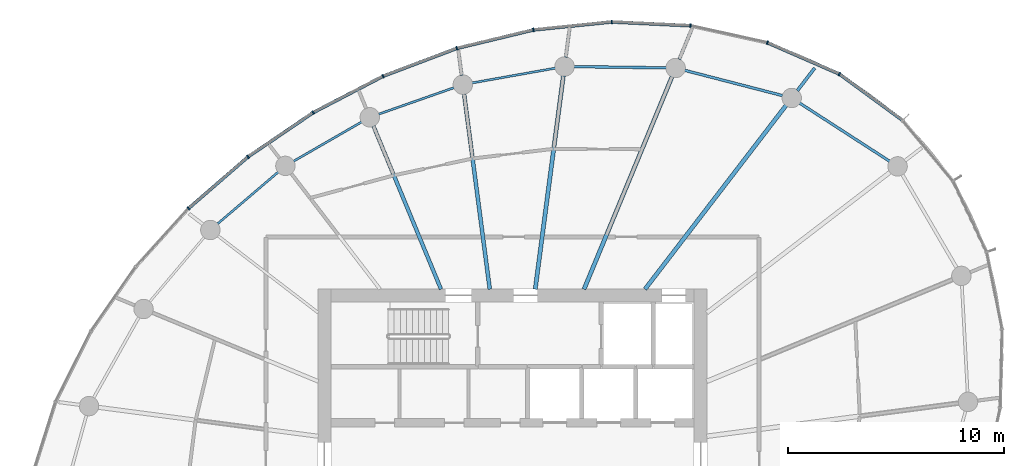
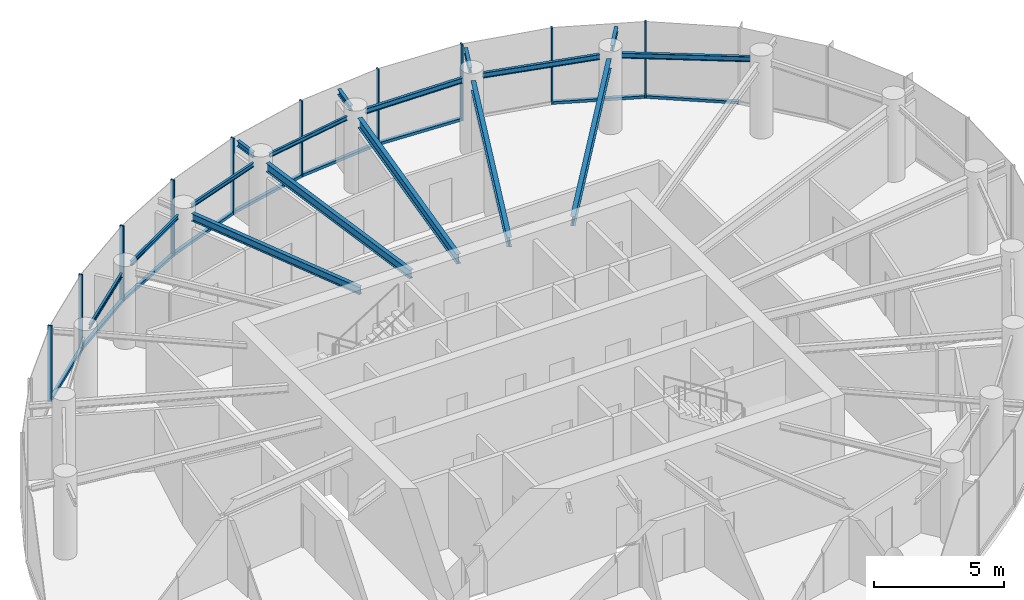
# One storey, part 6 of 15: 19 members, 16 beams, 2 elements without a shape of their own.
"""IFC4 building model written with IfcOpenShell, lengths in metres."""

from ifc_helpers import new_model, si_unit, direction, frame, origin, origin_2d, place, context, subcontext, project, spatial, rectangle, i_section, extrude, source, transform, mapped, material, layer, layer_set, material_profile, profile_set, type_object, element, aggregate, save


model = new_model("IFC4")

# Units and contexts
model_context = context("Model", 3, precision=1e-05, world=origin(), true_north=direction((0.0, 1.0)))
body_context = subcontext(model_context, "Body", "Model", "MODEL_VIEW")
ifc_project = project(units=[si_unit("LENGTHUNIT", "METRE"), si_unit("AREAUNIT", "SQUARE_METRE"), si_unit("VOLUMEUNIT", "CUBIC_METRE"), si_unit("PLANEANGLEUNIT", "RADIAN"), si_unit("MASSUNIT", "GRAM", prefix="KILO")], contexts=[model_context])

# Site, building, storey
site_placement = place(None, origin())
site = spatial("IfcSite", under=ifc_project, at=site_placement, CompositionType="ELEMENT")
building_placement = place(site_placement, origin())
building = spatial("IfcBuilding", under=site, at=building_placement, Name="Spindrift Exchange Tower", CompositionType="ELEMENT")
storey_placement = place(building_placement, frame((0.0, 0.0, 195.5)))
storey = spatial("IfcBuildingStorey", under=building, at=storey_placement, Name="L47", CompositionType="ELEMENT", Elevation=195.5)

# Beams
ifc_material_1 = material(Name="Steel Grade 300", Category="steel")
ifc_material_profile_1 = material_profile(ifc_material_1, i_section(OverallWidth=0.14599609375, OverallDepth=0.251953125, WebThickness=0.006103515625, FlangeThickness=0.008544921875, FilletRadius=0.011962890625, at=origin_2d()), Name="250UB31.4")
ifc_profile_set_1 = profile_set([ifc_material_profile_1], Name="Steel Grade 300")
beam_type_1 = type_object("IfcBeamType", Name="Cantilever Beam 250UB31.4 Steel Grade 300", PredefinedType="BEAM", material=ifc_profile_set_1)
shared_shape_1 = source(origin(), body_context, "Body", "SweptSolid", [
    extrude(i_section(OverallWidth=0.14599609375, OverallDepth=0.251953125, WebThickness=0.006103515625, FlangeThickness=0.008544921875, FilletRadius=0.011962890625, at=origin_2d()), origin(), (0.0, 0.0, 1.0), 1.224853515625),
])
beam_1_placement = place(storey_placement, frame((54.46240234375, 66.70458984375, 3.4541015625), z_axis=(0.130557634208, 0.99144072145, 0.0), x_axis=(-0.99144072145, 0.130557634208, 0.0)))
element("IfcBeam", 1, at=beam_1_placement, inside=storey, type_object=beam_type_1, Name="L47 cantilever beam R06T", PredefinedType="BEAM", context=body_context, shape_type="MappedRepresentation", body=[
    mapped(shared_shape_1, transform((0.0, 0.0, 0.0), scale=1.0)),
])
ifc_material_profile_2 = material_profile(ifc_material_1, i_section(OverallWidth=0.18994140625, OverallDepth=0.4541015625, WebThickness=0.008544921875, FlangeThickness=0.0126953125, FilletRadius=0.013916015625, at=origin_2d()), Name="460UB67.1")
ifc_profile_set_2 = profile_set([ifc_material_profile_2], Name="Steel Grade 300")
beam_type_2 = type_object("IfcBeamType", Name="Floor Beam 460UB67.1 Steel Grade 300", PredefinedType="BEAM", material=ifc_profile_set_2)
shared_shape_2 = source(origin(), body_context, "Body", "SweptSolid", [
    extrude(i_section(OverallWidth=0.18994140625, OverallDepth=0.4541015625, WebThickness=0.008544921875, FlangeThickness=0.0126953125, FilletRadius=0.013916015625, at=origin_2d()), origin(), (0.0, 0.0, 1.0), 10.711181640625),
])
beam_2_placement = place(storey_placement, frame((58.12646484375, 55.984130859375, 3.35302734375), z_axis=(0.608756401092, 0.793357198322, 0.0), x_axis=(-0.793357198322, 0.608756401092, 0.0)))
element("IfcBeam", 2, at=beam_2_placement, inside=storey, type_object=beam_type_2, Name="L47 radial beam R04A", PredefinedType="BEAM", context=body_context, shape_type="MappedRepresentation", body=[
    mapped(shared_shape_2, transform((0.0, 0.0, 0.0), scale=1.0)),
])
shared_shape_3 = source(origin(), body_context, "Body", "SweptSolid", [
    extrude(i_section(OverallWidth=0.18994140625, OverallDepth=0.4541015625, WebThickness=0.008544921875, FlangeThickness=0.0126953125, FilletRadius=0.013916015625, at=origin_2d()), origin(), (0.0, 0.0, 1.0), 10.64111328125),
])
beam_3_placement = place(storey_placement, frame((55.30615234375, 55.9814453125, 3.35302734375), z_axis=(0.382672627597, 0.923884007919, 0.0), x_axis=(-0.923884007919, 0.382672627597, 0.0)))
element("IfcBeam", 3, at=beam_3_placement, inside=storey, type_object=beam_type_2, Name="L47 radial beam R05A", PredefinedType="BEAM", context=body_context, shape_type="MappedRepresentation", body=[
    mapped(shared_shape_3, transform((0.0, 0.0, 0.0), scale=1.0)),
])
shared_shape_4 = source(origin(), body_context, "Body", "SweptSolid", [
    extrude(i_section(OverallWidth=0.18994140625, OverallDepth=0.4541015625, WebThickness=0.008544921875, FlangeThickness=0.0126953125, FilletRadius=0.013916015625, at=origin_2d()), origin(), (0.0, 0.0, 1.0), 9.95703125),
])
beam_4_placement = place(storey_placement, frame((53.050537109375, 55.980224609375, 3.35302734375), z_axis=(0.130541406635, 0.991442858239, 0.0), x_axis=(-0.991442858239, 0.130541406635, 0.0)))
element("IfcBeam", 4, at=beam_4_placement, inside=storey, type_object=beam_type_2, Name="L47 radial beam R06A", PredefinedType="BEAM", context=body_context, shape_type="MappedRepresentation", body=[
    mapped(shared_shape_4, transform((0.0, 0.0, 0.0), scale=1.0)),
])
ifc_material_profile_3 = material_profile(ifc_material_1, i_section(OverallWidth=0.177978515625, OverallDepth=0.403076171875, WebThickness=0.007568359375, FlangeThickness=0.010986328125, FilletRadius=0.013916015625, at=origin_2d()), Name="410UB53.7")
ifc_profile_set_3 = profile_set([ifc_material_profile_3], Name="Steel Grade 300")
beam_type_3 = type_object("IfcBeamType", Name="Floor Beam 410UB53.7 Steel Grade 300", PredefinedType="BEAM", material=ifc_profile_set_3)
shared_shape_5 = source(origin(), body_context, "Body", "SweptSolid", [
    extrude(i_section(OverallWidth=0.177978515625, OverallDepth=0.403076171875, WebThickness=0.007568359375, FlangeThickness=0.010986328125, FilletRadius=0.013916015625, at=origin_2d()), origin(), (0.0, 0.0, 1.0), 9.11376953125),
])
beam_5_placement = place(storey_placement, frame((50.949462890625, 55.980224609375, 3.37841796875), z_axis=(-0.130536972606, 0.991443442049, 0.0), x_axis=(-0.991443442049, -0.130536972606, 0.0)))
element("IfcBeam", 5, at=beam_5_placement, inside=storey, type_object=beam_type_3, Name="L47 radial beam R07A", PredefinedType="BEAM", context=body_context, shape_type="MappedRepresentation", body=[
    mapped(shared_shape_5, transform((0.0, 0.0, 0.0), scale=1.0)),
])
ifc_material_profile_4 = material_profile(ifc_material_1, i_section(OverallWidth=0.1708984375, OverallDepth=0.35205078125, WebThickness=0.0068359375, FlangeThickness=0.009765625, FilletRadius=0.013916015625, at=origin_2d()), Name="360UB44.7")
ifc_profile_set_4 = profile_set([ifc_material_profile_4], Name="Steel Grade 300")
beam_type_4 = type_object("IfcBeamType", Name="Floor Beam 360UB44.7 Steel Grade 300", PredefinedType="BEAM", material=ifc_profile_set_4)
shared_shape_6 = source(origin(), body_context, "Body", "SweptSolid", [
    extrude(i_section(OverallWidth=0.1708984375, OverallDepth=0.35205078125, WebThickness=0.0068359375, FlangeThickness=0.009765625, FilletRadius=0.013916015625, at=origin_2d()), origin(), (0.0, 0.0, 1.0), 8.1748046875),
])
beam_6_placement = place(storey_placement, frame((48.69384765625, 55.9814453125, 3.404052734375), z_axis=(-0.382655117626, 0.923891260352, 0.0), x_axis=(-0.923891260352, -0.382655117626, 0.0)))
element("IfcBeam", 6, at=beam_6_placement, inside=storey, type_object=beam_type_4, Name="L47 radial beam R08A", PredefinedType="BEAM", context=body_context, shape_type="MappedRepresentation", body=[
    mapped(shared_shape_6, transform((0.0, 0.0, 0.0), scale=1.0)),
])
ifc_material_profile_5 = material_profile(ifc_material_1, i_section(OverallWidth=0.1240234375, OverallDepth=0.248046875, WebThickness=0.0048828125, FlangeThickness=0.008056640625, FilletRadius=0.011962890625, at=origin_2d()), Name="250UB25.7")
ifc_profile_set_5 = profile_set([ifc_material_profile_5], Name="Steel Grade 300")
beam_type_5 = type_object("IfcBeamType", Name="Edge Beam 250UB25.7 Steel Grade 300", PredefinedType="SPANDREL", material=ifc_profile_set_5)
shared_shape_7 = source(origin(), body_context, "Body", "SweptSolid", [
    extrude(i_section(OverallWidth=0.1240234375, OverallDepth=0.248046875, WebThickness=0.0048828125, FlangeThickness=0.008056640625, FilletRadius=0.011962890625, at=origin_2d()), origin(), (0.0, 0.0, 1.0), 4.966552734375),
])
beam_7_placement = place(storey_placement, frame((69.44091796875, 61.893310546875, 3.4560546875), z_axis=(-0.839802198579, 0.54289250065, 0.0), x_axis=(-0.54289250065, -0.839802198579, 0.0)))
element("IfcBeam", 7, at=beam_7_placement, inside=storey, type_object=beam_type_5, Name="L47 edge beam E03", PredefinedType="SPANDREL", context=body_context, shape_type="MappedRepresentation", body=[
    mapped(shared_shape_7, transform((0.0, 0.0, 0.0), scale=1.0)),
])
shared_shape_8 = source(origin(), body_context, "Body", "SweptSolid", [
    extrude(i_section(OverallWidth=0.1240234375, OverallDepth=0.248046875, WebThickness=0.0048828125, FlangeThickness=0.008056640625, FilletRadius=0.011962890625, at=origin_2d()), origin(), (0.0, 0.0, 1.0), 4.682373046875),
])
beam_8_placement = place(storey_placement, frame((64.492431640625, 64.9306640625, 3.4560546875), z_axis=(-0.968201586176, 0.250171318352, 0.0), x_axis=(-0.250171318352, -0.968201586176, 0.0)))
element("IfcBeam", 8, at=beam_8_placement, inside=storey, type_object=beam_type_5, Name="L47 edge beam E04", PredefinedType="SPANDREL", context=body_context, shape_type="MappedRepresentation", body=[
    mapped(shared_shape_8, transform((0.0, 0.0, 0.0), scale=1.0)),
])
shared_shape_9 = source(origin(), body_context, "Body", "SweptSolid", [
    extrude(i_section(OverallWidth=0.1240234375, OverallDepth=0.248046875, WebThickness=0.0048828125, FlangeThickness=0.008056640625, FilletRadius=0.011962890625, at=origin_2d()), origin(), (0.0, 0.0, 1.0), 4.27685546875),
])
beam_9_placement = place(storey_placement, frame((59.11279296875, 66.21533203125, 3.4560546875), z_axis=(-0.999910013527, 0.013415097807, 0.0), x_axis=(-0.013415097807, -0.999910013527, 0.0)))
element("IfcBeam", 9, at=beam_9_placement, inside=storey, type_object=beam_type_5, Name="L47 edge beam E05", PredefinedType="SPANDREL", context=body_context, shape_type="MappedRepresentation", body=[
    mapped(shared_shape_9, transform((0.0, 0.0, 0.0), scale=1.0)),
])
ifc_material_profile_6 = material_profile(ifc_material_1, i_section(OverallWidth=0.09912109375, OverallDepth=0.197998046875, WebThickness=0.00439453125, FlangeThickness=0.007080078125, FilletRadius=0.010986328125, at=origin_2d()), Name="200UB18.2")
ifc_profile_set_6 = profile_set([ifc_material_profile_6], Name="Steel Grade 300")
beam_type_6 = type_object("IfcBeamType", Name="Edge Beam 200UB18.2 Steel Grade 300", PredefinedType="SPANDREL", material=ifc_profile_set_6)
shared_shape_10 = source(origin(), body_context, "Body", "SweptSolid", [
    extrude(i_section(OverallWidth=0.09912109375, OverallDepth=0.197998046875, WebThickness=0.00439453125, FlangeThickness=0.007080078125, FilletRadius=0.010986328125, at=origin_2d()), origin(), (0.0, 0.0, 1.0), 3.916259765625),
])
beam_10_placement = place(storey_placement, frame((53.98291015625, 66.203125, 3.48095703125), z_axis=(-0.984558687682, -0.175054821441, 0.0), x_axis=(0.175054821441, -0.984558687682, 0.0)))
element("IfcBeam", 10, at=beam_10_placement, inside=storey, type_object=beam_type_6, Name="L47 edge beam E06", PredefinedType="SPANDREL", context=body_context, shape_type="MappedRepresentation", body=[
    mapped(shared_shape_10, transform((0.0, 0.0, 0.0), scale=1.0)),
])
shared_shape_11 = source(origin(), body_context, "Body", "SweptSolid", [
    extrude(i_section(OverallWidth=0.09912109375, OverallDepth=0.197998046875, WebThickness=0.00439453125, FlangeThickness=0.007080078125, FilletRadius=0.010986328125, at=origin_2d()), origin(), (0.0, 0.0, 1.0), 3.700439453125),
])
beam_11_placement = place(storey_placement, frame((49.298095703125, 65.300048828125, 3.48095703125), z_axis=(-0.943515334916, -0.331328858957, 0.0), x_axis=(0.331328858957, -0.943515334916, 0.0)))
element("IfcBeam", 11, at=beam_11_placement, inside=storey, type_object=beam_type_6, Name="L47 edge beam E07", PredefinedType="SPANDREL", context=body_context, shape_type="MappedRepresentation", body=[
    mapped(shared_shape_11, transform((0.0, 0.0, 0.0), scale=1.0)),
])
shared_shape_12 = source(origin(), body_context, "Body", "SweptSolid", [
    extrude(i_section(OverallWidth=0.09912109375, OverallDepth=0.197998046875, WebThickness=0.00439453125, FlangeThickness=0.007080078125, FilletRadius=0.010986328125, at=origin_2d()), origin(), (0.0, 0.0, 1.0), 3.64208984375),
])
beam_12_placement = place(storey_placement, frame((45.028564453125, 63.716552734375, 3.48095703125), z_axis=(-0.866364093123, -0.499412913476, 0.0), x_axis=(0.499412913476, -0.866364093123, 0.0)))
element("IfcBeam", 12, at=beam_12_placement, inside=storey, type_object=beam_type_6, Name="L47 edge beam E08", PredefinedType="SPANDREL", context=body_context, shape_type="MappedRepresentation", body=[
    mapped(shared_shape_12, transform((0.0, 0.0, 0.0), scale=1.0)),
])
shared_shape_13 = source(origin(), body_context, "Body", "SweptSolid", [
    extrude(i_section(OverallWidth=0.09912109375, OverallDepth=0.197998046875, WebThickness=0.00439453125, FlangeThickness=0.007080078125, FilletRadius=0.010986328125, at=origin_2d()), origin(), (0.0, 0.0, 1.0), 3.703857421875),
])
beam_13_placement = place(storey_placement, frame((41.173583984375, 61.40380859375, 3.48095703125), z_axis=(-0.7606692863, -0.64913961278, 0.0), x_axis=(0.64913961278, -0.7606692863, 0.0)))
element("IfcBeam", 13, at=beam_13_placement, inside=storey, type_object=beam_type_6, Name="L47 edge beam E09", PredefinedType="SPANDREL", context=body_context, shape_type="MappedRepresentation", body=[
    mapped(shared_shape_13, transform((0.0, 0.0, 0.0), scale=1.0)),
])
shared_shape_14 = source(origin(), body_context, "Body", "SweptSolid", [
    extrude(i_section(OverallWidth=0.14599609375, OverallDepth=0.251953125, WebThickness=0.006103515625, FlangeThickness=0.008544921875, FilletRadius=0.011962890625, at=origin_2d()), origin(), (0.0, 0.0, 1.0), 1.3134765625),
])
beam_14_placement = place(storey_placement, frame((65.170654296875, 65.164306640625, 3.4541015625), z_axis=(0.608767093418, 0.793348993805, 0.0), x_axis=(-0.793348993805, 0.608767093418, 0.0)))
element("IfcBeam", 14, at=beam_14_placement, inside=storey, type_object=beam_type_1, Name="L47 cantilever beam R04T", PredefinedType="BEAM", context=body_context, shape_type="MappedRepresentation", body=[
    mapped(shared_shape_14, transform((0.0, 0.0, 0.0), scale=1.0)),
])
shared_shape_15 = source(origin(), body_context, "Body", "SweptSolid", [
    extrude(i_section(OverallWidth=0.14599609375, OverallDepth=0.251953125, WebThickness=0.006103515625, FlangeThickness=0.008544921875, FilletRadius=0.011962890625, at=origin_2d()), origin(), (0.0, 0.0, 1.0), 1.36767578125),
])
beam_15_placement = place(storey_placement, frame((59.707275390625, 66.60693359375, 3.4541015625), z_axis=(0.382751211346, 0.923851454625, 0.0), x_axis=(-0.923851454625, 0.382751211346, 0.0)))
element("IfcBeam", 15, at=beam_15_placement, inside=storey, type_object=beam_type_1, Name="L47 cantilever beam R05T", PredefinedType="BEAM", context=body_context, shape_type="MappedRepresentation", body=[
    mapped(shared_shape_15, transform((0.0, 0.0, 0.0), scale=1.0)),
])
shared_shape_16 = source(origin(), body_context, "Body", "SweptSolid", [
    extrude(i_section(OverallWidth=0.14599609375, OverallDepth=0.251953125, WebThickness=0.006103515625, FlangeThickness=0.008544921875, FilletRadius=0.011962890625, at=origin_2d()), origin(), (0.0, 0.0, 1.0), 1.007568359375),
])
beam_16_placement = place(storey_placement, frame((49.6474609375, 65.868896484375, 3.4541015625), z_axis=(-0.130354229524, 0.991467485521, 0.0), x_axis=(-0.991467485521, -0.130354229524, 0.0)))
element("IfcBeam", 16, at=beam_16_placement, inside=storey, type_object=beam_type_1, Name="L47 cantilever beam R07T", PredefinedType="BEAM", context=body_context, shape_type="MappedRepresentation", body=[
    mapped(shared_shape_16, transform((0.0, 0.0, 0.0), scale=1.0)),
])

# Curtain wall, members
ifc_material_2 = material(Name="Fritted laminated glass with bronze frame", Category="glass")
ifc_layer = layer(ifc_material_2, 0.169921875)
ifc_layer_set = layer_set([ifc_layer], Name="ZONE 4 BRONZE FRITTED WALL")
curtain_wall_type = type_object("IfcCurtainWallType", Name="ZONE 4 BRONZE FRITTED WALL", PredefinedType="NOTDEFINED", material=ifc_layer_set)
curtain_wall_1_placement = place(storey_placement, origin())
curtain_wall_1 = element("IfcCurtainWall", 17, at=curtain_wall_1_placement, inside=storey, type_object=curtain_wall_type, Name="L47 Zone 4 Bronze Fritted Wall run 2", PredefinedType="NOTDEFINED")
ifc_material_3 = material(Name="Bronze anodised aluminium", Category="aluminium")
ifc_material_profile_7 = material_profile(ifc_material_3, rectangle(XDim=0.14990234375, YDim=0.125, at=origin_2d()), Name="ZONE 4 BRONZE FRITTED WALL TRANSOM 150X125")
ifc_profile_set_7 = profile_set([ifc_material_profile_7], Name="Bronze anodised aluminium")
member_type_1 = type_object("IfcMemberType", Name="ZONE 4 BRONZE FRITTED WALL TRANSOM 150X125", PredefinedType="USERDEFINED", material=ifc_profile_set_7)
shared_shape_17 = source(origin(), body_context, "Body", "SweptSolid", [
    extrude(rectangle(XDim=0.14990234375, YDim=0.125, at=origin_2d()), origin(), (0.0, 0.0, 1.0), 3.57763671875),
])
member_1_placement = place(storey_placement, frame((49.393798828125, 67.109130859375, 0.0625), z_axis=(-0.935440004417, -0.353485499189, 0.0), x_axis=(0.353485499189, -0.935440004417, 0.0)))
member_1 = element("IfcMember", 18, at=member_1_placement, type_object=member_type_1, Name="L47 transom CW-4.8", ObjectType="TRANSOM", PredefinedType="USERDEFINED", context=body_context, shape_type="MappedRepresentation", body=[
    mapped(shared_shape_17, transform((0.0, 0.0, 0.0), scale=1.0)),
])
member_2_placement = place(storey_placement, frame((39.74755859375, 62.082763671875, 0.0625), z_axis=(-0.75589393886, -0.654694091309, 0.0), x_axis=(0.654694091309, -0.75589393886, 0.0)))
member_2 = element("IfcMember", 19, at=member_2_placement, type_object=member_type_1, Name="L47 transom CW-4.11", ObjectType="TRANSOM", PredefinedType="USERDEFINED", context=body_context, shape_type="MappedRepresentation", body=[
    mapped(shared_shape_17, transform((0.0, 0.0, 0.0), scale=1.0)),
])
shared_shape_18 = source(origin(), body_context, "Body", "SweptSolid", [
    extrude(rectangle(XDim=0.14990234375, YDim=0.125, at=origin_2d()), origin(), (0.0, 0.0, 1.0), 3.577880859375),
])
member_3_placement = place(storey_placement, frame((45.988037109375, 65.818115234375, 0.0625), z_axis=(-0.88693621512, -0.461891924923, 0.0), x_axis=(0.461891924923, -0.88693621512, 0.0)))
member_3 = element("IfcMember", 20, at=member_3_placement, type_object=member_type_1, Name="L47 transom CW-4.9", ObjectType="TRANSOM", PredefinedType="USERDEFINED", context=body_context, shape_type="MappedRepresentation", body=[
    mapped(shared_shape_18, transform((0.0, 0.0, 0.0), scale=1.0)),
])
member_4_placement = place(storey_placement, frame((42.759033203125, 64.13232421875, 0.0625), z_axis=(-0.827285502218, -0.561781717235, 0.0), x_axis=(0.561781717235, -0.827285502218, 0.0)))
member_4 = element("IfcMember", 21, at=member_4_placement, type_object=member_type_1, Name="L47 transom CW-4.10", ObjectType="TRANSOM", PredefinedType="USERDEFINED", context=body_context, shape_type="MappedRepresentation", body=[
    mapped(shared_shape_18, transform((0.0, 0.0, 0.0), scale=1.0)),
])

# Curtain wall, member
curtain_wall_2_placement = place(storey_placement, origin())
curtain_wall_2 = element("IfcCurtainWall", 22, at=curtain_wall_2_placement, inside=storey, type_object=curtain_wall_type, Name="L47 Zone 4 Bronze Fritted Wall run 1", PredefinedType="NOTDEFINED")
shared_shape_19 = source(origin(), body_context, "Body", "SweptSolid", [
    extrude(rectangle(XDim=0.14990234375, YDim=0.125, at=origin_2d()), origin(), (0.0, 0.0, 1.0), 3.57666015625),
])
member_5_placement = place(storey_placement, frame((56.55615234375, 68.33935546875, 0.0625), z_axis=(-0.99484960562, -0.10136203529, 0.0), x_axis=(0.10136203529, -0.99484960562, 0.0)))
member_5 = element("IfcMember", 23, at=member_5_placement, type_object=member_type_1, Name="L47 transom CW-4.6", ObjectType="TRANSOM", PredefinedType="USERDEFINED", context=body_context, shape_type="MappedRepresentation", body=[
    mapped(shared_shape_19, transform((0.0, 0.0, 0.0), scale=1.0)),
])

# Member
shared_shape_20 = source(origin(), body_context, "Body", "SweptSolid", [
    extrude(rectangle(XDim=0.14990234375, YDim=0.125, at=origin_2d()), origin(), (0.0, 0.0, 1.0), 3.577392578125),
])
member_6_placement = place(storey_placement, frame((52.933837890625, 67.9658203125, 0.0625), z_axis=(-0.972201777193, -0.23414462288, 0.0), x_axis=(0.23414462288, -0.972201777193, 0.0)))
member_6 = element("IfcMember", 24, at=member_6_placement, type_object=member_type_1, Name="L47 transom CW-4.7", ObjectType="TRANSOM", PredefinedType="USERDEFINED", context=body_context, shape_type="MappedRepresentation", body=[
    mapped(shared_shape_20, transform((0.0, 0.0, 0.0), scale=1.0)),
])

ifc_material_profile_8 = material_profile(ifc_material_3, rectangle(XDim=0.06494140625, YDim=0.169921875, at=origin_2d()), Name="ZONE 4 BRONZE FRITTED WALL MULLION 65X170")
ifc_profile_set_8 = profile_set([ifc_material_profile_8], Name="Bronze anodised aluminium")
member_type_2 = type_object("IfcMemberType", Name="ZONE 4 BRONZE FRITTED WALL MULLION 65X170", PredefinedType="MULLION", material=ifc_profile_set_8)
shared_shape_21 = source(origin(), body_context, "Body", "SweptSolid", [
    extrude(rectangle(XDim=0.06494140625, YDim=0.169921875, at=origin_2d()), origin(), (0.0, 0.0, 1.0), 3.580078125),
])
member_7_placement = place(storey_placement, frame((67.114990234375, 65.930419921875, 0.0), z_axis=(0.0, 0.0, 1.0), x_axis=(-0.866901627813, 0.49847925503, 0.0)))
member_7 = element("IfcMember", 25, at=member_7_placement, type_object=member_type_2, Name="L47 mullion CW-4.3", PredefinedType="MULLION", context=body_context, shape_type="MappedRepresentation", body=[
    mapped(shared_shape_21, transform((0.0, 0.0, 0.0), scale=1.0)),
])

member_8_placement = place(storey_placement, frame((63.77978515625, 67.384521484375, 0.0), z_axis=(0.0, 0.0, 1.0), x_axis=(-0.951068988074, 0.308978607551, 0.0)))
member_8 = element("IfcMember", 26, at=member_8_placement, type_object=member_type_2, Name="L47 mullion CW-4.4", PredefinedType="MULLION", context=body_context, shape_type="MappedRepresentation", body=[
    mapped(shared_shape_21, transform((0.0, 0.0, 0.0), scale=1.0)),
])

member_9_placement = place(storey_placement, frame((60.225341796875, 68.16845703125, 0.0), z_axis=(0.0, 0.0, 1.0), x_axis=(-0.991241531686, 0.132061447295, 0.0)))
member_9 = element("IfcMember", 27, at=member_9_placement, type_object=member_type_2, Name="L47 mullion CW-4.5", PredefinedType="MULLION", context=body_context, shape_type="MappedRepresentation", body=[
    mapped(shared_shape_21, transform((0.0, 0.0, 0.0), scale=1.0)),
])

member_10_placement = place(storey_placement, frame((56.58837890625, 68.342529296875, 0.0), z_axis=(0.0, 0.0, 1.0), x_axis=(-0.999639329074, -0.026855386195, 0.0)))
member_10 = element("IfcMember", 28, at=member_10_placement, type_object=member_type_2, Name="L47 mullion CW-4.6", PredefinedType="MULLION", context=body_context, shape_type="MappedRepresentation", body=[
    mapped(shared_shape_21, transform((0.0, 0.0, 0.0), scale=1.0)),
])

member_11_placement = place(storey_placement, frame((52.96533203125, 67.973388671875, 0.0), z_axis=(0.0, 0.0, 1.0), x_axis=(-0.98576130655, -0.1681506661, 0.0)))
member_11 = element("IfcMember", 29, at=member_11_placement, type_object=member_type_2, Name="L47 mullion CW-4.7", PredefinedType="MULLION", context=body_context, shape_type="MappedRepresentation", body=[
    mapped(shared_shape_21, transform((0.0, 0.0, 0.0), scale=1.0)),
])

member_12_placement = place(storey_placement, frame((49.42431640625, 67.12060546875, 0.0), z_axis=(0.0, 0.0, 1.0), x_axis=(-0.955691804107, -0.294369114484, 0.0)))
member_12 = element("IfcMember", 30, at=member_12_placement, type_object=member_type_2, Name="L47 mullion CW-4.8", PredefinedType="MULLION", context=body_context, shape_type="MappedRepresentation", body=[
    mapped(shared_shape_21, transform((0.0, 0.0, 0.0), scale=1.0)),
])

member_13_placement = place(storey_placement, frame((46.016845703125, 65.8330078125, 0.0), z_axis=(0.0, 0.0, 1.0), x_axis=(-0.91281177124, -0.40838054592, 0.0)))
member_13 = element("IfcMember", 31, at=member_13_placement, type_object=member_type_2, Name="L47 mullion CW-4.9", PredefinedType="MULLION", context=body_context, shape_type="MappedRepresentation", body=[
    mapped(shared_shape_21, transform((0.0, 0.0, 0.0), scale=1.0)),
])

member_14_placement = place(storey_placement, frame((42.785888671875, 64.150390625, 0.0), z_axis=(0.0, 0.0, 1.0), x_axis=(-0.858571728093, -0.5126934637, 0.0)))
member_14 = element("IfcMember", 32, at=member_14_placement, type_object=member_type_2, Name="L47 mullion CW-4.10", PredefinedType="MULLION", context=body_context, shape_type="MappedRepresentation", body=[
    mapped(shared_shape_21, transform((0.0, 0.0, 0.0), scale=1.0)),
])

member_15_placement = place(storey_placement, frame((39.772216796875, 62.10400390625, 0.0), z_axis=(0.0, 0.0, 1.0), x_axis=(-0.792956192503, -0.609278652811, 0.0)))
member_15 = element("IfcMember", 33, at=member_15_placement, type_object=member_type_2, Name="L47 mullion CW-4.11", PredefinedType="MULLION", context=body_context, shape_type="MappedRepresentation", body=[
    mapped(shared_shape_21, transform((0.0, 0.0, 0.0), scale=1.0)),
])

member_16_placement = place(storey_placement, frame((37.0185546875, 59.71923828125, 0.0), z_axis=(0.0, 0.0, 1.0), x_axis=(-0.714784868321, -0.699344401579, 0.0)))
member_16 = element("IfcMember", 34, at=member_16_placement, type_object=member_type_2, Name="L47 mullion CW-4.12", PredefinedType="MULLION", context=body_context, shape_type="MappedRepresentation", body=[
    mapped(shared_shape_21, transform((0.0, 0.0, 0.0), scale=1.0)),
])

aggregate(curtain_wall_1, [member_11, member_6, member_12, member_1, member_13, member_3, member_14, member_4, member_15, member_2, member_16])

shared_shape_22 = source(origin(), body_context, "Body", "SweptSolid", [
    extrude(rectangle(XDim=0.14990234375, YDim=0.125, at=origin_2d()), origin(), (0.0, 0.0, 1.0), 3.571533203125),
])
member_17_placement = place(storey_placement, frame((70.021728515625, 63.7998046875, 0.0625), z_axis=(-0.806554922676, 0.591159163599, 0.0), x_axis=(-0.591159163599, -0.806554922676, 0.0)))
member_17 = element("IfcMember", 35, at=member_17_placement, type_object=member_type_1, Name="L47 transom CW-4.2", ObjectType="TRANSOM", PredefinedType="USERDEFINED", context=body_context, shape_type="MappedRepresentation", body=[
    mapped(shared_shape_22, transform((0.0, 0.0, 0.0), scale=1.0)),
])

shared_shape_23 = source(origin(), body_context, "Body", "SweptSolid", [
    extrude(rectangle(XDim=0.14990234375, YDim=0.125, at=origin_2d()), origin(), (0.0, 0.0, 1.0), 3.576171875),
])
member_18_placement = place(storey_placement, frame((60.19287109375, 68.170166015625, 0.0625), z_axis=(-0.998857455127, 0.047788956229, 0.0), x_axis=(-0.047788956229, -0.998857455127, 0.0)))
member_18 = element("IfcMember", 36, at=member_18_placement, type_object=member_type_1, Name="L47 transom CW-4.5", ObjectType="TRANSOM", PredefinedType="USERDEFINED", context=body_context, shape_type="MappedRepresentation", body=[
    mapped(shared_shape_23, transform((0.0, 0.0, 0.0), scale=1.0)),
])

shared_shape_24 = source(origin(), body_context, "Body", "SweptSolid", [
    extrude(rectangle(XDim=0.14990234375, YDim=0.125, at=origin_2d()), origin(), (0.0, 0.0, 1.0), 3.573486328125),
])
member_19_placement = place(storey_placement, frame((67.085205078125, 65.943359375, 0.0625), z_axis=(-0.916656817542, 0.399675216712, 0.0), x_axis=(-0.399675216712, -0.916656817542, 0.0)))
member_19 = element("IfcMember", 37, at=member_19_placement, type_object=member_type_1, Name="L47 transom CW-4.3", ObjectType="TRANSOM", PredefinedType="USERDEFINED", context=body_context, shape_type="MappedRepresentation", body=[
    mapped(shared_shape_24, transform((0.0, 0.0, 0.0), scale=1.0)),
])

aggregate(curtain_wall_2, [member_17, member_7, member_19, member_8, member_9, member_18, member_10, member_5])

save(model, "model.ifc")
